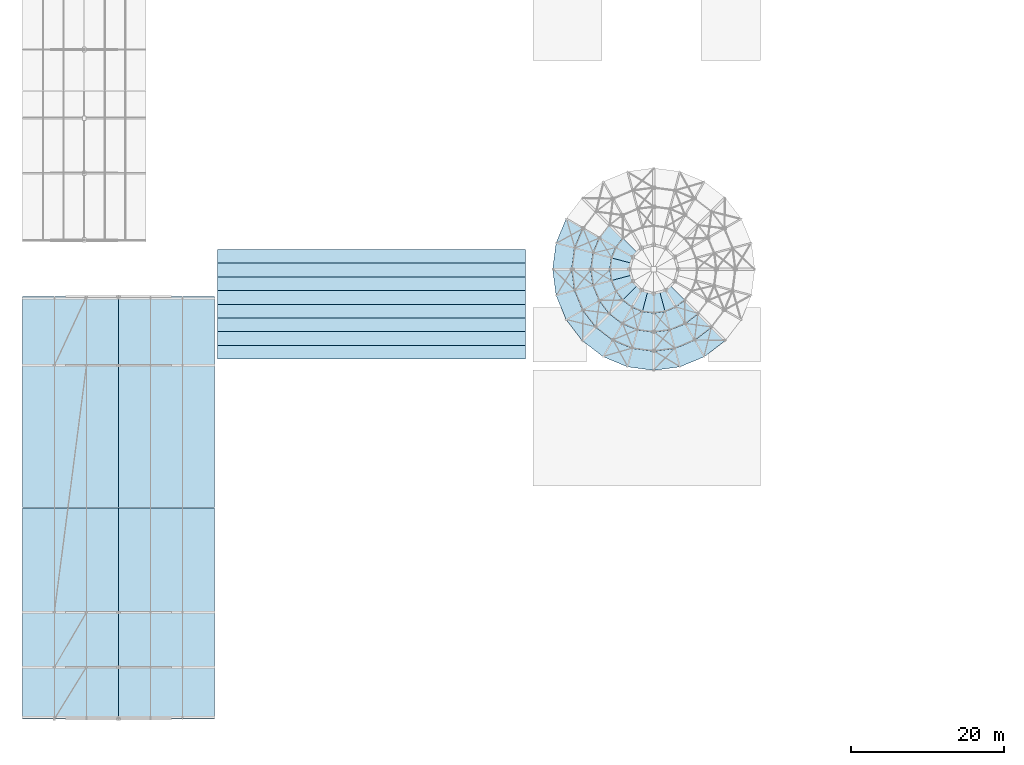
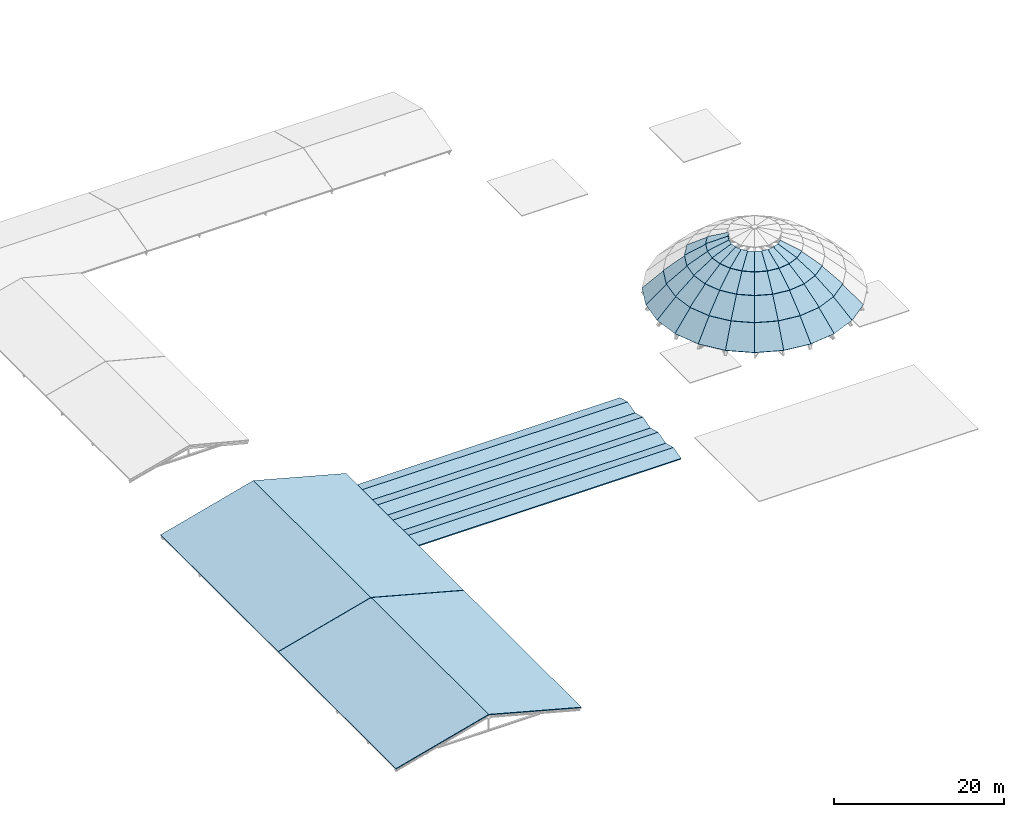
# One storey, part 28 of 31: 58 roofs.
"""IFC4 building model written with IfcOpenShell, lengths in metres."""

from ifc_helpers import new_model, si_unit, direction, frame, origin, place, context, subcontext, project, spatial, polyline, outline, extrude, material, layer, layer_set, type_object, element, save


model = new_model("IFC4")

# Units and contexts
model_context = context("Model", 3, precision=1e-05, world=origin(), true_north=direction((0.0, 1.0)))
body_context = subcontext(model_context, "Body", "Model", "MODEL_VIEW")
ifc_project = project(units=[si_unit("LENGTHUNIT", "METRE"), si_unit("AREAUNIT", "SQUARE_METRE"), si_unit("VOLUMEUNIT", "CUBIC_METRE"), si_unit("PLANEANGLEUNIT", "RADIAN"), si_unit("MASSUNIT", "GRAM", prefix="KILO")], contexts=[model_context])

# Site, building, storey
site_placement = place(None, origin())
site = spatial("IfcSite", under=ifc_project, at=site_placement, CompositionType="ELEMENT")
building_placement = place(site_placement, origin())
building = spatial("IfcBuilding", under=site, at=building_placement, Name="Clarverna Civic Hall", CompositionType="ELEMENT")
storey_placement = place(building_placement, frame((0.0, 0.0, 31.199951171875)))
storey = spatial("IfcBuildingStorey", under=building, at=storey_placement, Name="RF", CompositionType="ELEMENT", Elevation=31.199951171875)

# Roofs
ifc_material_1 = material(Name="Standing-Seam Patinated Zinc Vault Roof Cladding")
ifc_layer_1 = layer(ifc_material_1, 0.199951171875)
ifc_layer_set_1 = layer_set([ifc_layer_1], Name="Standing-Seam Patinated Zinc Vault Roof Cladding")
roof_type_1 = type_object("IfcRoofType", Name="RF-BV1", PredefinedType="BARREL_ROOF", material=ifc_layer_set_1)
roof_1_placement = place(storey_placement, frame((0.0, 0.0, -14.260009765625), z_axis=(-0.258821527843, 0.0, 0.965925161037), x_axis=(0.965925161037, 0.0, 0.258821527843)))
element("IfcRoof", 1, at=roof_1_placement, inside=storey, type_object=roof_type_1, Name="RF-BV1-011", PredefinedType="BARREL_ROOF", context=body_context, shape_type="SweptSolid", body=[
    extrude(outline(polyline([(0.0, 0.0), (13.044589958417498, 0.0), (13.044589958417498, 27.679931640625007), (0.0, 27.679931640625007), (0.0, 0.0)])), origin(), (0.0, 0.0, -1.0), 0.1201171875),
])
roof_2_placement = place(storey_placement, frame((12.60009765625, 0.0, -10.8837890625), z_axis=(0.25882620693, 0.0, 0.965923907255), x_axis=(0.965923907255, 0.0, -0.25882620693)))
element("IfcRoof", 2, at=roof_2_placement, inside=storey, type_object=roof_type_1, Name="RF-BV1-012", PredefinedType="BARREL_ROOF", context=body_context, shape_type="SweptSolid", body=[
    extrude(outline(polyline([(0.0, 0.0), (13.044354136998027, 0.0), (13.044354136998027, 27.679931640625), (0.0, 27.679931640625), (0.0, 0.0)])), origin(), (0.0, 0.0, -1.0), 0.1201171875),
])
roof_3_placement = place(storey_placement, frame((0.0, 27.719970703125, -14.260009765625), z_axis=(-0.258821527843, 0.0, 0.965925161037), x_axis=(0.965925161037, 0.0, 0.258821527843)))
element("IfcRoof", 3, at=roof_3_placement, inside=storey, type_object=roof_type_1, Name="RF-BV1-013", PredefinedType="BARREL_ROOF", context=body_context, shape_type="SweptSolid", body=[
    extrude(outline(polyline([(0.0, 0.0), (13.044589958417498, 0.0), (13.044589958417498, 27.679931640625007), (0.0, 27.679931640625007), (0.0, 0.0)])), origin(), (0.0, 0.0, -1.0), 0.1201171875),
])
roof_4_placement = place(storey_placement, frame((12.60009765625, 27.719970703125, -10.8837890625), z_axis=(0.25882620693, 0.0, 0.965923907255), x_axis=(0.965923907255, 0.0, -0.25882620693)))
element("IfcRoof", 4, at=roof_4_placement, inside=storey, type_object=roof_type_1, Name="RF-BV1-014", PredefinedType="BARREL_ROOF", context=body_context, shape_type="SweptSolid", body=[
    extrude(outline(polyline([(0.0, 0.0), (13.044354136998027, 0.0), (13.044354136998027, 27.679931640625), (0.0, 27.679931640625), (0.0, 0.0)])), origin(), (0.0, 0.0, -1.0), 0.1201171875),
])
for number, where, z_axis, x_axis, name in (
    (5, (25.60009765625, 47.199951171875, -21.419921875), (0.0, -0.258746999554, 0.965945127956), (1.0, 0.0, 0.0), "Barrel Vault Roof RF-BV1-01"),
    (6, (25.60009765625, 49.0, -20.937744140625), (0.0, 0.258746999554, 0.965945127956), (1.0, 0.0, 0.0), "Barrel Vault Roof RF-BV1-02"),
    (7, (25.60009765625, 50.800048828125, -21.419921875), (0.0, -0.258746999554, 0.965945127956), (1.0, 0.0, 0.0), "Barrel Vault Roof RF-BV1-03"),
):
    element("IfcRoof", number, at=place(storey_placement, frame(where, z_axis=z_axis, x_axis=x_axis)), inside=storey, type_object=roof_type_1, Name=name, PredefinedType="BARREL_ROOF", context=body_context, shape_type="SweptSolid", body=[
        extrude(outline(polyline([(0.0, 0.0), (40.39990234375, 0.0), (40.39990234375, 1.863510437631406), (0.0, 1.863510437631406), (0.0, 0.0)])), origin(), (0.0, 0.0, -1.0), 0.199951171875),
    ])
roof_5_placement = place(storey_placement, frame((25.60009765625, 52.60009765625, -20.937744140625), z_axis=(0.0, 0.258779747872, 0.965936355094), x_axis=(1.0, 0.0, 0.0)))
element("IfcRoof", 8, at=roof_5_placement, inside=storey, type_object=roof_type_1, Name="Barrel Vault Roof RF-BV1-04", PredefinedType="BARREL_ROOF", context=body_context, shape_type="SweptSolid", body=[
    extrude(outline(polyline([(0.0, 0.0), (40.39990234375, 0.0), (40.39990234375, 1.8632746122549892), (0.0, 1.8632746122549892), (0.0, 0.0)])), origin(), (0.0, 0.0, -1.0), 0.199951171875),
])
for number, where, z_axis, x_axis, name in (
    (9, (25.60009765625, 54.39990234375, -21.419921875), (0.0, -0.258746999554, 0.965945127956), (1.0, 0.0, 0.0), "Barrel Vault Roof RF-BV1-05"),
    (10, (25.60009765625, 56.199951171875, -20.937744140625), (0.0, 0.258746999554, 0.965945127956), (1.0, 0.0, 0.0), "Barrel Vault Roof RF-BV1-06"),
    (11, (25.60009765625, 58.0, -21.419921875), (0.0, -0.258746999554, 0.965945127956), (1.0, 0.0, 0.0), "Barrel Vault Roof RF-BV1-07"),
    (12, (25.60009765625, 59.800048828125, -20.937744140625), (0.0, 0.258746999554, 0.965945127956), (1.0, 0.0, 0.0), "Barrel Vault Roof RF-BV1-08"),
):
    element("IfcRoof", number, at=place(storey_placement, frame(where, z_axis=z_axis, x_axis=x_axis)), inside=storey, type_object=roof_type_1, Name=name, PredefinedType="BARREL_ROOF", context=body_context, shape_type="SweptSolid", body=[
        extrude(outline(polyline([(0.0, 0.0), (40.39990234375, 0.0), (40.39990234375, 1.863510437631406), (0.0, 1.863510437631406), (0.0, 0.0)])), origin(), (0.0, 0.0, -1.0), 0.199951171875),
    ])
ifc_material_2 = material(Name="Standing-Seam Patinated Bronze Dome Roof Cladding")
ifc_layer_2 = layer(ifc_material_2, 0.219970703125)
ifc_layer_set_2 = layer_set([ifc_layer_2], Name="Standing-Seam Patinated Bronze Dome Roof Cladding")
roof_type_2 = type_object("IfcRoofType", Name="RF-DM1", PredefinedType="DOME_ROOF", material=ifc_layer_set_2)
roof_6_placement = place(storey_placement, frame((71.31640625, 65.6298828125, -9.97998046875), z_axis=(-0.648509166763, 0.268632767935, 0.712230508063), x_axis=(-0.382696920977, -0.92387394523, 4.96727e-07)))
element("IfcRoof", 13, at=roof_6_placement, inside=storey, type_object=roof_type_2, Name="RF-DM1-011", PredefinedType="DOME_ROOF", context=body_context, shape_type="SweptSolid", body=[
    extrude(outline(polyline([(0.0, 0.0), (3.461508374459562, 0.0), (3.1193616146287177, 3.647087240923117), (0.34174896027220025, 3.647091655995121), (0.0, 0.0)])), origin(), (0.0, 0.0, -1.0), 0.219970703125),
])
roof_7_placement = place(storey_placement, frame((69.99169921875, 62.431884765625, -9.97998046875), z_axis=(-0.695947748599, 0.09160459966, 0.712225616319), x_axis=(-0.130490839054, -0.991449515023, 9.1688e-06)))
element("IfcRoof", 14, at=roof_7_placement, inside=storey, type_object=roof_type_2, Name="RF-DM1-012", PredefinedType="DOME_ROOF", context=body_context, shape_type="SweptSolid", body=[
    extrude(outline(polyline([(0.0, 0.0), (3.4614779992493148, 5.551115123125783e-17), (3.119632039813014, 3.6470229123501134), (0.34196372305222084, 3.647104407376258), (0.0, 0.0)])), origin(), (0.0, 0.0, -1.0), 0.219970703125),
])
roof_8_placement = place(storey_placement, frame((69.5400390625, 59.0, -9.97998046875), z_axis=(-0.695947748599, -0.09160459966, 0.712225616319), x_axis=(0.130490839054, -0.991449515023, -9.1688e-06)))
element("IfcRoof", 15, at=roof_8_placement, inside=storey, type_object=roof_type_2, Name="RF-DM1-013", PredefinedType="DOME_ROOF", context=body_context, shape_type="SweptSolid", body=[
    extrude(outline(polyline([(0.0, 0.0), (3.4614779992493148, -5.551115123125783e-17), (3.119514276197094, 3.647104407376258), (0.34184595943630086, 3.6470229123501134), (0.0, 0.0)])), origin(), (0.0, 0.0, -1.0), 0.219970703125),
])
roof_9_placement = place(storey_placement, frame((69.99169921875, 55.568115234375, -9.97998046875), z_axis=(-0.648509166763, -0.268632767935, 0.712230508063), x_axis=(0.382696920977, -0.92387394523, -4.96727e-07)))
element("IfcRoof", 16, at=roof_9_placement, inside=storey, type_object=roof_type_2, Name="RF-DM1-014", PredefinedType="DOME_ROOF", context=body_context, shape_type="SweptSolid", body=[
    extrude(outline(polyline([(0.0, 0.0), (3.461508374459562, 0.0), (3.119759414187362, 3.647091655995121), (0.34214675983084375, 3.647087240923117), (0.0, 0.0)])), origin(), (0.0, 0.0, -1.0), 0.219970703125),
])
roof_10_placement = place(storey_placement, frame((71.31640625, 52.3701171875, -9.97998046875), z_axis=(-0.556893018078, -0.427331273749, 0.71222057601), x_axis=(0.608774459796, -0.793343341242, 2.563407e-06)))
element("IfcRoof", 17, at=roof_10_placement, inside=storey, type_object=roof_type_2, Name="RF-DM1-015", PredefinedType="DOME_ROOF", context=body_context, shape_type="SweptSolid", body=[
    extrude(outline(polyline([(0.0, 0.0), (3.4617334918442024, 2.220446049250313e-16), (3.119818991714275, 3.6470256969283406), (0.34220939537633216, 3.647048481805953), (0.0, 0.0)])), origin(), (0.0, 0.0, -1.0), 0.219970703125),
])
roof_11_placement = place(storey_placement, frame((73.423828125, 49.623779296875, -9.97998046875), z_axis=(-0.427329131803, -0.556898554874, 0.712217531862), x_axis=(0.793349527738, -0.608766397592, 3.33929e-07)))
element("IfcRoof", 18, at=roof_11_placement, inside=storey, type_object=roof_type_2, Name="RF-DM1-016", PredefinedType="DOME_ROOF", context=body_context, shape_type="SweptSolid", body=[
    extrude(outline(polyline([(0.0, 0.0), (3.4613911781294218, 2.220446049250313e-16), (3.1195579102098967, 3.6470195587539225), (0.34194831375261636, 3.6470225267098493), (0.0, 0.0)])), origin(), (0.0, 0.0, -1.0), 0.219970703125),
])
roof_12_placement = place(storey_placement, frame((76.169921875, 47.5166015625, -9.97998046875), z_axis=(-0.268632438566, -0.648535839161, 0.712206345292), x_axis=(0.923882008118, -0.382677455611, 6.503713e-06)))
element("IfcRoof", 19, at=roof_12_placement, inside=storey, type_object=roof_type_2, Name="RF-DM1-017", PredefinedType="DOME_ROOF", context=body_context, shape_type="SweptSolid", body=[
    extrude(outline(polyline([(0.0, 0.0), (3.4617339307850723, -2.220446049250313e-16), (3.119750704972678, 3.6469331713846307), (0.34213805139302483, 3.6469909785715817), (0.0, 0.0)])), origin(), (0.0, 0.0, -1.0), 0.219970703125),
])
roof_13_placement = place(storey_placement, frame((79.3681640625, 46.19189453125, -9.97998046875), z_axis=(-0.09160459966, -0.695947748599, 0.712225616319), x_axis=(0.991444885392, -0.130526007235, -2.5791065e-05)))
element("IfcRoof", 20, at=roof_13_placement, inside=storey, type_object=roof_type_2, Name="RF-DM1-018", PredefinedType="DOME_ROOF", context=body_context, shape_type="SweptSolid", body=[
    extrude(outline(polyline([(0.0, 0.0), (3.461509861657329, 0.0), (3.119450400047627, 3.6471782776109682), (0.3418139493739515, 3.646949038934215), (0.0, 0.0)])), origin(), (0.0, 0.0, -1.0), 0.219970703125),
])
roof_14_placement = place(storey_placement, frame((82.800048828125, 45.739990234375, -9.97998046875), z_axis=(0.091607868671, -0.69594511564, 0.712227768635), x_axis=(0.991444556995, 0.130528502117, 2.3237971e-05)))
element("IfcRoof", 21, at=roof_14_placement, inside=storey, type_object=roof_type_2, Name="RF-DM1-019", PredefinedType="DOME_ROOF", context=body_context, shape_type="SweptSolid", body=[
    extrude(outline(polyline([(0.0, 0.0), (3.4615098620844313, -5.551115123125783e-17), (3.1194538607343656, 3.6469717393021814), (0.34205946242170127, 3.6471782779401725), (0.0, 0.0)])), origin(), (0.0, 0.0, -1.0), 0.219970703125),
])
roof_15_placement = place(storey_placement, frame((86.23193359375, 46.19189453125, -9.97998046875), z_axis=(0.268632438566, -0.648535839161, 0.712206345292), x_axis=(0.923876769065, 0.382690103782, 6.989809e-06)))
element("IfcRoof", 22, at=roof_15_placement, inside=storey, type_object=roof_type_2, Name="RF-DM1-020", PredefinedType="DOME_ROOF", context=body_context, shape_type="SweptSolid", body=[
    extrude(outline(polyline([(0.0, 0.0), (3.4615083742936963, 0.0), (3.1196659825817954, 3.646931011909097), (0.34182777255229135, 3.646993139675679), (0.0, 0.0)])), origin(), (0.0, 0.0, -1.0), 0.219970703125),
])
roof_16_placement = place(storey_placement, frame((89.429931640625, 47.5166015625, -9.97998046875), z_axis=(0.427329131803, -0.556898554874, 0.712217531862), x_axis=(0.793362785775, 0.608749118827, -2.1799372e-05)))
element("IfcRoof", 23, at=roof_16_placement, inside=storey, type_object=roof_type_2, Name="RF-DM1-021", PredefinedType="DOME_ROOF", context=body_context, shape_type="SweptSolid", body=[
    extrude(outline(polyline([(0.0, 0.0), (3.4615848685974253, 4.440892098500626e-16), (3.119331339349083, 3.647117915532088), (0.3419154363675978, 3.6469241630033418), (0.0, 0.0)])), origin(), (0.0, 0.0, -1.0), 0.219970703125),
])
roof_17_placement = place(storey_placement, frame((73.481689453125, 64.3798828125, -7.419921875), z_axis=(-0.58905802907, 0.244002720627, 0.770372189733), x_axis=(-0.382745479981, -0.923853827894, -4.7315578e-05)))
element("IfcRoof", 24, at=roof_17_placement, inside=storey, type_object=roof_type_2, Name="RF-DM1-035", PredefinedType="DOME_ROOF", context=body_context, shape_type="SweptSolid", body=[
    extrude(outline(polyline([(0.0, 0.0), (2.8088997633122887, 1.1102230246251565e-16), (2.466645584099847, 3.3720792941969133), (0.3416028760274772, 3.371713148698273), (0.0, 0.0)])), origin(), (0.0, 0.0, -1.0), 0.219970703125),
])
roof_18_placement = place(storey_placement, frame((72.406494140625, 61.784912109375, -7.419921875), z_axis=(-0.632131082607, 0.083228278894, 0.770378704271), x_axis=(-0.13049181797, -0.991449385524, 3.7243765e-05)))
element("IfcRoof", 25, at=roof_18_placement, inside=storey, type_object=roof_type_2, Name="RF-DM1-036", PredefinedType="DOME_ROOF", context=body_context, shape_type="SweptSolid", body=[
    extrude(outline(polyline([(0.0, 0.0), (2.8089187889268765, 5.551115123125783e-17), (2.4671268626475613, 3.371793755568901), (0.34222795036291365, 3.3720819579086223), (0.0, 0.0)])), origin(), (0.0, 0.0, -1.0), 0.219970703125),
])
roof_19_placement = place(storey_placement, frame((72.0400390625, 59.0, -7.419921875), z_axis=(-0.632131082607, -0.083228278894, 0.770378704271), x_axis=(0.13049181797, -0.991449385524, -3.7243765e-05)))
element("IfcRoof", 26, at=roof_19_placement, inside=storey, type_object=roof_type_2, Name="RF-DM1-037", PredefinedType="DOME_ROOF", context=body_context, shape_type="SweptSolid", body=[
    extrude(outline(polyline([(0.0, 0.0), (2.8089187889268765, -5.551115123125783e-17), (2.466690838563963, 3.3720819579086223), (0.3417919262793152, 3.371793755568901), (0.0, 0.0)])), origin(), (0.0, 0.0, -1.0), 0.219970703125),
])
roof_20_placement = place(storey_placement, frame((72.406494140625, 56.215087890625, -7.419921875), z_axis=(-0.58905802907, -0.244002720627, 0.770372189733), x_axis=(0.382745479981, -0.923853827894, 4.7315578e-05)))
element("IfcRoof", 27, at=roof_20_placement, inside=storey, type_object=roof_type_2, Name="RF-DM1-038", PredefinedType="DOME_ROOF", context=body_context, shape_type="SweptSolid", body=[
    extrude(outline(polyline([(0.0, 0.0), (2.8088997633122887, -1.1102230246251565e-16), (2.4672968872848116, 3.371713148698273), (0.3422541792124417, 3.3720792941969133), (0.0, 0.0)])), origin(), (0.0, 0.0, -1.0), 0.219970703125),
])
roof_21_placement = place(storey_placement, frame((73.481689453125, 53.6201171875, -7.419921875), z_axis=(-0.50586002107, -0.38814257963, 0.770357694166), x_axis=(0.608716732681, -0.793387634472, -2.8641073e-05)))
element("IfcRoof", 28, at=roof_21_placement, inside=storey, type_object=roof_type_2, Name="RF-DM1-039", PredefinedType="DOME_ROOF", context=body_context, shape_type="SweptSolid", body=[
    extrude(outline(polyline([(0.0, 0.0), (2.808809962507313, 0.0), (2.4667869402055316, 3.3719144272716197), (0.3418036436945019, 3.3716928048133483), (0.0, 0.0)])), origin(), (0.0, 0.0, -1.0), 0.219970703125),
])
roof_22_placement = place(storey_placement, frame((75.19140625, 51.3916015625, -7.419921875), z_axis=(-0.388129400504, -0.505842844925, 0.770375612739), x_axis=(0.793362723117, -0.608749200854, -5.230566e-06)))
element("IfcRoof", 29, at=roof_22_placement, inside=storey, type_object=roof_type_2, Name="RF-DM1-040", PredefinedType="DOME_ROOF", context=body_context, shape_type="SweptSolid", body=[
    extrude(outline(polyline([(0.0, 0.0), (2.808958578954358, 0.0), (2.4670208931989692, 3.3719383475162035), (0.3421862083234459, 3.371897872415733), (0.0, 0.0)])), origin(), (0.0, 0.0, -1.0), 0.219970703125),
])
roof_23_placement = place(storey_placement, frame((77.419921875, 49.681640625, -7.419921875), z_axis=(-0.244002720627, -0.58905802907, 0.770372189733), x_axis=(0.923879622307, -0.382683215485, 8.464354e-06)))
element("IfcRoof", 30, at=roof_23_placement, inside=storey, type_object=roof_type_2, Name="RF-DM1-041", PredefinedType="DOME_ROOF", context=body_context, shape_type="SweptSolid", body=[
    extrude(outline(polyline([(0.0, 0.0), (2.8090318805921726, 1.1102230246251565e-16), (2.4669405809170843, 3.371863486877147), (0.34202997697363, 3.371928987190066), (0.0, 0.0)])), origin(), (0.0, 0.0, -1.0), 0.219970703125),
])
roof_24_placement = place(storey_placement, frame((80.01513671875, 48.606689453125, -7.419921875), z_axis=(-0.083224498909, -0.632133921392, 0.770376783273), x_axis=(0.991443054052, -0.130539919198, -8.255247e-06)))
element("IfcRoof", 31, at=roof_24_placement, inside=storey, type_object=roof_type_2, Name="RF-DM1-042", PredefinedType="DOME_ROOF", context=body_context, shape_type="SweptSolid", body=[
    extrude(outline(polyline([(0.0, 0.0), (2.808950653370284, 0.0), (2.4669030194501684, 3.371957529257787), (0.34179391186318875, 3.3718936450173675), (0.0, 0.0)])), origin(), (0.0, 0.0, -1.0), 0.219970703125),
])
roof_25_placement = place(storey_placement, frame((82.800048828125, 48.239990234375, -7.419921875), z_axis=(0.083228278894, -0.632131082607, 0.770378704271), x_axis=(0.991442711304, 0.130542522485, 5.082671e-06)))
element("IfcRoof", 32, at=roof_25_placement, inside=storey, type_object=roof_type_2, Name="RF-DM1-043", PredefinedType="DOME_ROOF", context=body_context, shape_type="SweptSolid", body=[
    extrude(outline(polyline([(0.0, 0.0), (2.808950653470424, -1.1102230246251565e-16), (2.46691469011001, 3.3719181982408273), (0.3420476341082023, 3.3719575293221276), (0.0, 0.0)])), origin(), (0.0, 0.0, -1.0), 0.219970703125),
])
roof_26_placement = place(storey_placement, frame((85.5849609375, 48.606689453125, -7.419921875), z_axis=(0.244002720627, -0.58905802907, 0.770372189733), x_axis=(0.923872067889, 0.38270145298, 7.873517e-06)))
element("IfcRoof", 33, at=roof_26_placement, inside=storey, type_object=roof_type_2, Name="RF-DM1-044", PredefinedType="DOME_ROOF", context=body_context, shape_type="SweptSolid", body=[
    extrude(outline(polyline([(0.0, 0.0), (2.8088063249658908, 0.0), (2.4670883059123403, 3.371865771044381), (0.3419521462840261, 3.371926699237493), (0.0, 0.0)])), origin(), (0.0, 0.0, -1.0), 0.219970703125),
])
roof_27_placement = place(storey_placement, frame((88.179931640625, 49.681640625, -7.419921875), z_axis=(0.38814257963, -0.50586002107, 0.770357694166), x_axis=(0.793362723296, 0.608749200621, 5.230622e-06)))
element("IfcRoof", 34, at=roof_27_placement, inside=storey, type_object=roof_type_2, Name="RF-DM1-045", PredefinedType="DOME_ROOF", context=body_context, shape_type="SweptSolid", body=[
    extrude(outline(polyline([(0.0, 0.0), (2.808958578954354, 2.220446049250313e-16), (2.4669660620586167, 3.371783380032304), (0.34213137718308084, 3.3718238541913417), (0.0, 0.0)])), origin(), (0.0, 0.0, -1.0), 0.219970703125),
])
roof_28_placement = place(storey_placement, frame((76.959228515625, 64.8408203125, -5.27001953125), z_axis=(-0.425385348015, 0.326434193876, 0.844090056074), x_axis=(-0.608748004012, -0.793363640752, 3.3810349e-05)))
element("IfcRoof", 35, at=roof_28_placement, inside=storey, type_object=roof_type_2, Name="RF-DM1-058", PredefinedType="DOME_ROOF", context=body_context, shape_type="SweptSolid", body=[
    extrude(outline(polyline([(0.0, 0.0), (2.156525979484118, 1.1102230246251565e-16), (1.8144655565096446, 3.077360553317903), (0.34210854281515257, 3.07758937367069), (0.0, 0.0)])), origin(), (0.0, 0.0, -1.0), 0.219970703125),
])
roof_29_placement = place(storey_placement, frame((75.646484375, 63.1298828125, -5.27001953125), z_axis=(-0.495424056629, 0.205139905767, 0.84408093402), x_axis=(-0.382583061968, -0.923921100858, -9.199345e-06)))
element("IfcRoof", 36, at=roof_29_placement, inside=storey, type_object=roof_type_2, Name="RF-DM1-059", PredefinedType="DOME_ROOF", context=body_context, shape_type="SweptSolid", body=[
    extrude(outline(polyline([(0.0, 0.0), (2.1562364134254692, 1.1102230246251565e-16), (1.814393322203716, 3.0774236733128584), (0.34205262446429746, 3.077361421264808), (0.0, 0.0)])), origin(), (0.0, 0.0, -1.0), 0.219970703125),
])
roof_30_placement = place(storey_placement, frame((74.821533203125, 61.1376953125, -5.27001953125), z_axis=(-0.531628535166, 0.070029927842, 0.844077549639), x_axis=(-0.13056700168, -0.99143948764, 2.0486192e-05)))
element("IfcRoof", 37, at=roof_30_placement, inside=storey, type_object=roof_type_2, Name="RF-DM1-060", PredefinedType="DOME_ROOF", context=body_context, shape_type="SweptSolid", body=[
    extrude(outline(polyline([(0.0, 0.0), (2.1561493912881273, 0.0), (1.8141142279928903, 3.077292664984654), (0.34177450779619906, 3.0774312904948595), (0.0, 0.0)])), origin(), (0.0, 0.0, -1.0), 0.219970703125),
])
roof_31_placement = place(storey_placement, frame((74.5400390625, 59.0, -5.27001953125), z_axis=(-0.531628535166, -0.070029927842, 0.844077549639), x_axis=(0.13056700168, -0.99143948764, -2.0486192e-05)))
element("IfcRoof", 38, at=roof_31_placement, inside=storey, type_object=roof_type_2, Name="RF-DM1-061", PredefinedType="DOME_ROOF", context=body_context, shape_type="SweptSolid", body=[
    extrude(outline(polyline([(0.0, 0.0), (2.1561493912881273, 0.0), (1.8143748834919282, 3.077431290494859), (0.3420351632952373, 3.077292664984654), (0.0, 0.0)])), origin(), (0.0, 0.0, -1.0), 0.219970703125),
])
roof_32_placement = place(storey_placement, frame((74.821533203125, 56.8623046875, -5.27001953125), z_axis=(-0.495424056629, -0.205139905767, 0.84408093402), x_axis=(0.382583061968, -0.923921100858, 9.199345e-06)))
element("IfcRoof", 39, at=roof_32_placement, inside=storey, type_object=roof_type_2, Name="RF-DM1-062", PredefinedType="DOME_ROOF", context=body_context, shape_type="SweptSolid", body=[
    extrude(outline(polyline([(0.0, 0.0), (2.1562364134254692, -1.1102230246251565e-16), (1.8141837889611716, 3.077361421264808), (0.3418430912217532, 3.0774236733128584), (0.0, 0.0)])), origin(), (0.0, 0.0, -1.0), 0.219970703125),
])
roof_33_placement = place(storey_placement, frame((75.646484375, 54.8701171875, -5.27001953125), z_axis=(-0.425385348015, -0.326434193876, 0.844090056074), x_axis=(0.608748004012, -0.793363640752, -3.3810349e-05)))
element("IfcRoof", 40, at=roof_33_placement, inside=storey, type_object=roof_type_2, Name="RF-DM1-063", PredefinedType="DOME_ROOF", context=body_context, shape_type="SweptSolid", body=[
    extrude(outline(polyline([(0.0, 0.0), (2.156525979484118, -1.1102230246251565e-16), (1.8144174366689656, 3.07758937367069), (0.3420604229744729, 3.0773605533179027), (0.0, 0.0)])), origin(), (0.0, 0.0, -1.0), 0.219970703125),
])
roof_34_placement = place(storey_placement, frame((76.959228515625, 53.1591796875, -5.27001953125), z_axis=(-0.326430928968, -0.425392029561, 0.844087951459), x_axis=(0.793374881444, -0.608733353839, 3.7653326e-05)))
element("IfcRoof", 41, at=roof_34_placement, inside=storey, type_object=roof_type_2, Name="RF-DM1-064", PredefinedType="DOME_ROOF", context=body_context, shape_type="SweptSolid", body=[
    extrude(outline(polyline([(0.0, 0.0), (2.156183668094725, 1.1102230246251565e-16), (1.814519863269856, 3.077328532457343), (0.3421628544503959, 3.0775833355479585), (0.0, 0.0)])), origin(), (0.0, 0.0, -1.0), 0.219970703125),
])
roof_35_placement = place(storey_placement, frame((78.669921875, 51.8466796875, -5.27001953125), z_axis=(-0.205171791854, -0.495413934541, 0.844079125018), x_axis=(0.923885744924, -0.382668432875, -2.8409897e-05)))
element("IfcRoof", 42, at=roof_35_placement, inside=storey, type_object=roof_type_2, Name="RF-DM1-065", PredefinedType="DOME_ROOF", context=body_context, shape_type="SweptSolid", body=[
    extrude(outline(polyline([(0.0, 0.0), (2.1563298295160545, 1.1102230246251565e-16), (1.8144405721259331, 3.0774723392502126), (0.3420998872237263, 3.0772800852942845), (0.0, 0.0)])), origin(), (0.0, 0.0, -1.0), 0.219970703125),
])
roof_36_placement = place(storey_placement, frame((80.662109375, 51.021484375, -5.27001953125), z_axis=(-0.069987165098, -0.531613847882, 0.844090346741), x_axis=(0.991443696369, -0.13053504082, -6.991752e-06)))
element("IfcRoof", 43, at=roof_36_placement, inside=storey, type_object=roof_type_2, Name="RF-DM1-066", PredefinedType="DOME_ROOF", context=body_context, shape_type="SweptSolid", body=[
    extrude(outline(polyline([(0.0, 0.0), (2.156391443155808, 0.0), (1.8143628017169031, 3.077501243581308), (0.34205495559536625, 3.0774539274325523), (0.0, 0.0)])), origin(), (0.0, 0.0, -1.0), 0.219970703125),
])
roof_37_placement = place(storey_placement, frame((82.800048828125, 50.739990234375, -5.27001953125), z_axis=(0.069992139782, -0.531615556543, 0.844088858124), x_axis=(0.991441991966, 0.130547985327, 9.706783e-06)))
element("IfcRoof", 44, at=roof_37_placement, inside=storey, type_object=roof_type_2, Name="RF-DM1-067", PredefinedType="DOME_ROOF", context=body_context, shape_type="SweptSolid", body=[
    extrude(outline(polyline([(0.0, 0.0), (2.156149391780607, -2.7755575615628914e-17), (1.8143748830775122, 3.077431290739188), (0.34206703776133995, 3.077496975983968), (0.0, 0.0)])), origin(), (0.0, 0.0, -1.0), 0.219970703125),
])
roof_38_placement = place(storey_placement, frame((84.937744140625, 51.021484375, -5.27001953125), z_axis=(0.205177048937, -0.495426628452, 0.844070396596), x_axis=(0.923885745278, 0.38266843202, 2.8410331e-05)))
element("IfcRoof", 45, at=roof_38_placement, inside=storey, type_object=roof_type_2, Name="RF-DM1-068", PredefinedType="DOME_ROOF", context=body_context, shape_type="SweptSolid", body=[
    extrude(outline(polyline([(0.0, 0.0), (2.1563298295159923, 0.0), (1.8144554986496273, 3.0772012252432583), (0.3421148137472522, 3.0773934772111335), (0.0, 0.0)])), origin(), (0.0, 0.0, -1.0), 0.219970703125),
])
roof_39_placement = place(storey_placement, frame((86.929931640625, 51.8466796875, -5.27001953125), z_axis=(0.326444236637, -0.425409371595, 0.844074064834), x_axis=(0.793374880257, 0.608733355386, -3.7654242e-05)))
element("IfcRoof", 46, at=roof_39_placement, inside=storey, type_object=roof_type_2, Name="RF-DM1-069", PredefinedType="DOME_ROOF", context=body_context, shape_type="SweptSolid", body=[
    extrude(outline(polyline([(0.0, 0.0), (2.15618366809455, -2.220446049250313e-16), (1.814214512238952, 3.0774578929624754), (0.3418575034190226, 3.0772030940637873), (0.0, 0.0)])), origin(), (0.0, 0.0, -1.0), 0.219970703125),
])
roof_40_placement = place(storey_placement, frame((78.72705078125, 63.072998046875, -3.619873046875), z_axis=(-0.309358659898, 0.237325212997, 0.920855017265), x_axis=(-0.608667838059, -0.793425146376, 3.393755e-06)))
element("IfcRoof", 47, at=roof_40_placement, inside=storey, type_object=roof_type_2, Name="RF-DM1-082", PredefinedType="DOME_ROOF", context=body_context, shape_type="SweptSolid", body=[
    extrude(outline(polyline([(0.0, 0.0), (1.503751077934695, 0.0), (1.1619010565115528, 2.8208130413595143), (0.3424675706832739, 2.820833262478087), (0.0, 0.0)])), origin(), (0.0, 0.0, -1.0), 0.219970703125),
])
roof_41_placement = place(storey_placement, frame((77.811767578125, 61.8798828125, -3.619873046875), z_axis=(-0.360222098385, 0.1492184807, 0.92085497493), x_axis=(-0.382701297984, -0.923872132126, 1.445725e-06)))
element("IfcRoof", 48, at=roof_41_placement, inside=storey, type_object=roof_type_2, Name="RF-DM1-083", PredefinedType="DOME_ROOF", context=body_context, shape_type="SweptSolid", body=[
    extrude(outline(polyline([(0.0, 0.0), (1.5036277810414886, 0.0), (1.1614690332392301, 2.8208181245640462), (0.3417369722615254, 2.82082673932051), (0.0, 0.0)])), origin(), (0.0, 0.0, -1.0), 0.219970703125),
])
roof_42_placement = place(storey_placement, frame((77.236328125, 60.49072265625, -3.619873046875), z_axis=(-0.386569587407, 0.050928033614, 0.920853022737), x_axis=(-0.130557250142, -0.99144077172, 2.4614816e-05)))
element("IfcRoof", 49, at=roof_42_placement, inside=storey, type_object=roof_type_2, Name="RF-DM1-084", PredefinedType="DOME_ROOF", context=body_context, shape_type="SweptSolid", body=[
    extrude(outline(polyline([(0.0, 0.0), (1.5035901809664816, -2.7755575615628914e-17), (1.1615738329385956, 2.8207157520106616), (0.3417933246696922, 2.820862425246591), (0.0, 0.0)])), origin(), (0.0, 0.0, -1.0), 0.219970703125),
])
roof_43_placement = place(storey_placement, frame((77.0400390625, 59.0, -3.619873046875), z_axis=(-0.386569587407, -0.050928033614, 0.920853022737), x_axis=(0.130557250142, -0.99144077172, -2.4614816e-05)))
element("IfcRoof", 50, at=roof_43_placement, inside=storey, type_object=roof_type_2, Name="RF-DM1-085", PredefinedType="DOME_ROOF", context=body_context, shape_type="SweptSolid", body=[
    extrude(outline(polyline([(0.0, 0.0), (1.5035901809664816, 2.7755575615628914e-17), (1.1617968562967893, 2.820862425246591), (0.34201634802788594, 2.8207157520106616), (0.0, 0.0)])), origin(), (0.0, 0.0, -1.0), 0.219970703125),
])
roof_44_placement = place(storey_placement, frame((77.236328125, 57.50927734375, -3.619873046875), z_axis=(-0.360222098385, -0.1492184807, 0.92085497493), x_axis=(0.382701297984, -0.923872132126, -1.445725e-06)))
element("IfcRoof", 51, at=roof_44_placement, inside=storey, type_object=roof_type_2, Name="RF-DM1-086", PredefinedType="DOME_ROOF", context=body_context, shape_type="SweptSolid", body=[
    extrude(outline(polyline([(0.0, 0.0), (1.5036277810414886, 0.0), (1.1618908087799633, 2.8208267393205104), (0.34215874780225847, 2.8208181245640462), (0.0, 0.0)])), origin(), (0.0, 0.0, -1.0), 0.219970703125),
])
roof_45_placement = place(storey_placement, frame((77.811767578125, 56.1201171875, -3.619873046875), z_axis=(-0.309358659898, -0.237325212997, 0.920855017265), x_axis=(0.608667838059, -0.793425146376, -3.393755e-06)))
element("IfcRoof", 52, at=roof_45_placement, inside=storey, type_object=roof_type_2, Name="RF-DM1-087", PredefinedType="DOME_ROOF", context=body_context, shape_type="SweptSolid", body=[
    extrude(outline(polyline([(0.0, 0.0), (1.503751077934695, 0.0), (1.1612835072514214, 2.820833262478087), (0.3418500214231423, 2.8208130413595143), (0.0, 0.0)])), origin(), (0.0, 0.0, -1.0), 0.219970703125),
])
roof_46_placement = place(storey_placement, frame((78.72705078125, 54.927001953125, -3.619873046875), z_axis=(-0.237343499806, -0.309329090892, 0.920860237293), x_axis=(0.793366416914, -0.608744386839, -2.156405e-06)))
element("IfcRoof", 53, at=roof_46_placement, inside=storey, type_object=roof_type_2, Name="RF-DM1-088", PredefinedType="DOME_ROOF", context=body_context, shape_type="SweptSolid", body=[
    extrude(outline(polyline([(0.0, 0.0), (1.5035573777593871, 1.1102230246251565e-16), (1.161644327779008, 2.8209187750031792), (0.34186853154890906, 2.8209059251998085), (0.0, 0.0)])), origin(), (0.0, 0.0, -1.0), 0.219970703125),
])
roof_47_placement = place(storey_placement, frame((79.919921875, 54.01171875, -3.619873046875), z_axis=(-0.149213929462, -0.36021111143, 0.920860010239), x_axis=(0.92387213214, -0.38270129795, 1.445689e-06)))
element("IfcRoof", 54, at=roof_47_placement, inside=storey, type_object=roof_type_2, Name="RF-DM1-089", PredefinedType="DOME_ROOF", context=body_context, shape_type="SweptSolid", body=[
    extrude(outline(polyline([(0.0, 0.0), (1.5036277810414886, -5.551115123125783e-17), (1.1616945880161822, 2.8209041628307543), (0.34196252703847774, 2.8209127776343244), (0.0, 0.0)])), origin(), (0.0, 0.0, -1.0), 0.219970703125),
])
roof_48_placement = place(storey_placement, frame((81.30908203125, 53.436279296875, -3.619873046875), z_axis=(-0.050880183698, -0.386558303845, 0.920860404532), x_axis=(0.99144545765, -0.130521662582, -1.0105213e-05)))
element("IfcRoof", 55, at=roof_48_placement, inside=storey, type_object=roof_type_2, Name="RF-DM1-090", PredefinedType="DOME_ROOF", context=body_context, shape_type="SweptSolid", body=[
    extrude(outline(polyline([(0.0, 0.0), (1.503832233052774, -2.7755575615628914e-17), (1.1618390673270005, 2.8209453214109117), (0.34209043043061504, 2.820885098955538), (0.0, 0.0)])), origin(), (0.0, 0.0, -1.0), 0.219970703125),
])
roof_49_placement = place(storey_placement, frame((82.800048828125, 53.239990234375, -3.619873046875), z_axis=(0.050885749172, -0.386559616296, 0.920859546066), x_axis=(0.991442839616, 0.13054154745, 1.2791134e-05)))
element("IfcRoof", 56, at=roof_49_placement, inside=storey, type_object=roof_type_2, Name="RF-DM1-091", PredefinedType="DOME_ROOF", context=body_context, shape_type="SweptSolid", body=[
    extrude(outline(polyline([(0.0, 0.0), (1.5035901813585975, -5.551115123125783e-17), (1.161796855993808, 2.8208624253713754), (0.3420482205288155, 2.82093864634849), (0.0, 0.0)])), origin(), (0.0, 0.0, -1.0), 0.219970703125),
])
roof_50_placement = place(storey_placement, frame((84.290771484375, 53.436279296875, -3.619873046875), z_axis=(0.1492184807, -0.360222098385, 0.92085497493), x_axis=(0.923872132126, 0.382701297984, -1.445725e-06)))
element("IfcRoof", 57, at=roof_50_placement, inside=storey, type_object=roof_type_2, Name="RF-DM1-092", PredefinedType="DOME_ROOF", context=body_context, shape_type="SweptSolid", body=[
    extrude(outline(polyline([(0.0, 0.0), (1.5036277810414886, 0.0), (1.1618908087799633, 2.8208267393205104), (0.34215874780225847, 2.8208181245640462), (0.0, 0.0)])), origin(), (0.0, 0.0, -1.0), 0.219970703125),
])
roof_51_placement = place(storey_placement, frame((85.679931640625, 54.01171875, -3.619873046875), z_axis=(0.237369046932, -0.309321411235, 0.920856232053), x_axis=(0.793360496438, 0.608752102467, -2.0812679e-05)))
element("IfcRoof", 58, at=roof_51_placement, inside=storey, type_object=roof_type_2, Name="RF-DM1-093", PredefinedType="DOME_ROOF", context=body_context, shape_type="SweptSolid", body=[
    extrude(outline(polyline([(0.0, 0.0), (1.5035573773794821, -1.1102230246251565e-16), (1.161688846504003, 2.82090592507893), (0.34210674214419695, 2.8207819177147138), (0.0, 0.0)])), origin(), (0.0, 0.0, -1.0), 0.219970703125),
])

save(model, "model.ifc")
